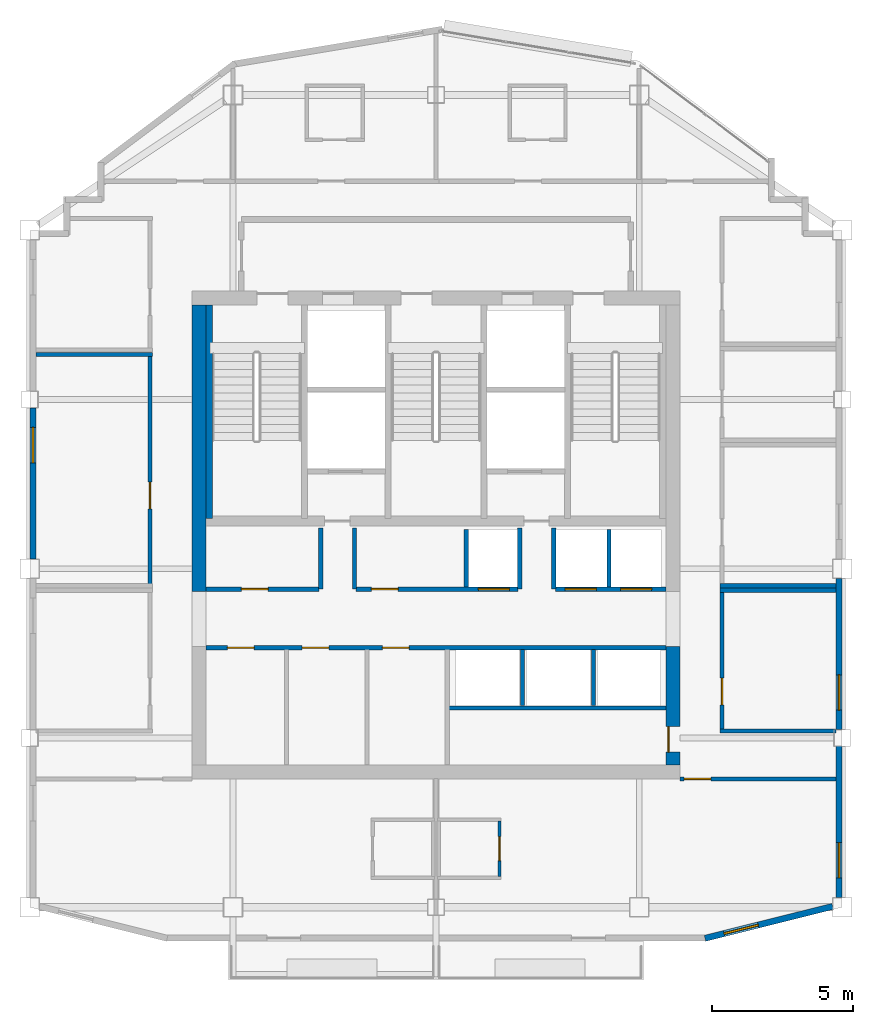
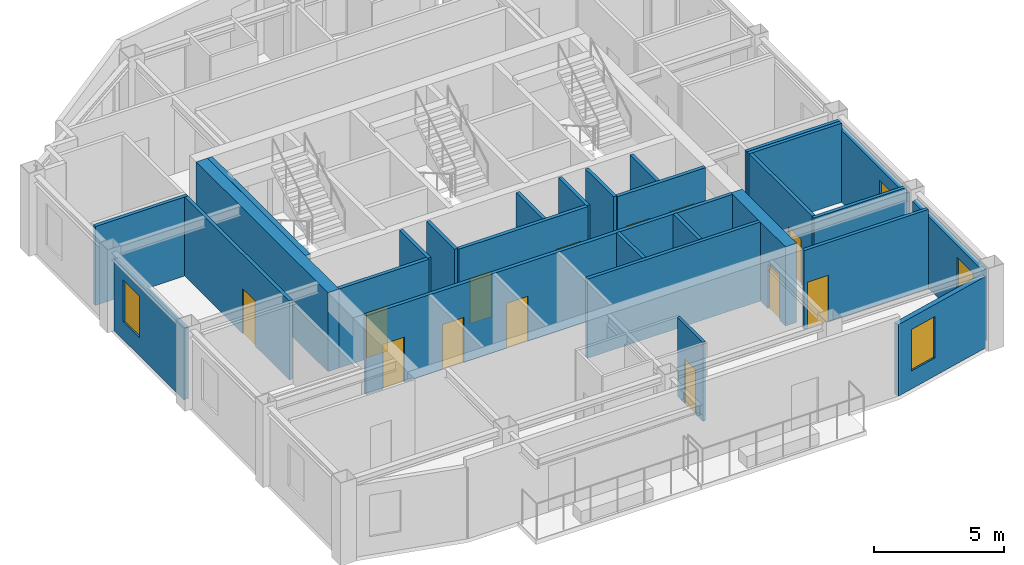
# One storey, part 5 of 10: 28 walls, 13 doors, 4 windows, 17 openings.
"""IFC4 building model written with IfcOpenShell, lengths in metres."""

from ifc_helpers import new_model, si_unit, direction, frame, frame_2d, origin, place, context, subcontext, project, spatial, rectangle, extrude, material, layer, layer_set, type_object, element, fill, save


model = new_model("IFC4")

# Units and contexts
model_context = context("Model", 3, precision=1e-05, world=origin(), true_north=direction((0.0, 1.0)))
body_context = subcontext(model_context, "Body", "Model", "MODEL_VIEW")
ifc_project = project(units=[si_unit("LENGTHUNIT", "METRE"), si_unit("AREAUNIT", "SQUARE_METRE"), si_unit("VOLUMEUNIT", "CUBIC_METRE"), si_unit("PLANEANGLEUNIT", "RADIAN"), si_unit("MASSUNIT", "GRAM", prefix="KILO")], contexts=[model_context])

# Site, building, storey
site_placement = place(None, origin())
site = spatial("IfcSite", under=ifc_project, at=site_placement, CompositionType="ELEMENT")
building_placement = place(site_placement, origin())
building = spatial("IfcBuilding", under=site, at=building_placement, Name="Haolan Belvedere Tower", CompositionType="ELEMENT")
storey_placement = place(building_placement, frame((0.0, 0.0, 286.10009765625)))
storey = spatial("IfcBuildingStorey", under=building, at=storey_placement, Name="L72", CompositionType="ELEMENT", Elevation=286.10009765625)

# Wall
ifc_material_1 = material(Name="Concrete C50/60", Category="concrete")
ifc_layer_1 = layer(ifc_material_1, 0.5, Name="Concrete C50/60")
ifc_layer_set_1 = layer_set([ifc_layer_1], Name="Concrete C50/60")
wall_type_1 = type_object("IfcWallType", Name="WL-CORE-500", PredefinedType="SHEAR", material=ifc_layer_set_1)
wall_1_placement = place(storey_placement, frame((30.0, 32.800048828125, 0.0), z_axis=(0.0, 0.0, 1.0), x_axis=(0.0, 1.0, 0.0)))
element("IfcWall", 1, at=wall_1_placement, inside=storey, type_object=wall_type_1, Name="L72 central core shear wall WN", PredefinedType="SHEAR", context=body_context, shape_type="SweptSolid", body=[
    extrude(rectangle(XDim=10.14990234375, YDim=0.5, at=frame_2d((5.074951171875, 0.0))), origin(), (0.0, 0.0, 1.0), 3.719970703125),
])

# Wall, opening, door
wall_2_placement = place(storey_placement, frame((46.800048828125, 26.64990234375, 0.0), z_axis=(0.0, 0.0, 1.0), x_axis=(0.0, 1.0, 0.0)))
wall_2 = element("IfcWall", 2, at=wall_2_placement, inside=storey, type_object=wall_type_1, Name="L72 central core shear wall ES", PredefinedType="SHEAR", context=body_context, shape_type="SweptSolid", body=[
    extrude(rectangle(XDim=4.2001953125, YDim=0.5, at=frame_2d((2.10009765625, 0.0))), origin(), (0.0, 0.0, 1.0), 3.719970703125),
])
opening_1_placement = place(wall_2_placement, frame((1.349853515625, 0.0, 0.0), z_axis=(0.0, 0.0, 1.0), x_axis=(-1.0, 0.0, 0.0)))
opening_1 = element("IfcOpeningElement", 3, at=opening_1_placement, cuts=wall_2, Name="Opening FD-05", PredefinedType="OPENING", context=body_context, shape_type="SweptSolid", body=[
    extrude(rectangle(XDim=0.89990234375, YDim=2.10009765625, at=frame_2d((0.449951171875, 1.050048828125))), frame((0.0, 0.260009765625, 0.0), z_axis=(0.0, -1.0, 0.0), x_axis=(1.0, 0.0, 0.0)), (0.0, 0.0, 1.0), 0.52001953125),
])
ifc_material_2 = material(Name="Galvanised fire-rated steel", Category="steel")
door_type_1 = type_object("IfcDoorType", Name="DR-FD60-900", OperationType="NOTDEFINED", PredefinedType="DOOR", material=ifc_material_2)
door_1_placement = place(opening_1_placement, origin())
door_1 = element("IfcDoor", 4, at=door_1_placement, inside=storey, type_object=door_type_1, Name="L72 door CD-L72-SCVE", OperationType="SINGLE_SWING_RIGHT", OverallHeight=2.10009765625, OverallWidth=0.89990234375, PredefinedType="DOOR", context=body_context, shape_type="SweptSolid", body=[
    extrude(rectangle(XDim=0.89990234375, YDim=2.10009765625, at=frame_2d((0.449951171875, 1.050048828125))), frame((0.0, -0.134765625, 0.0), z_axis=(0.0, -1.0, 0.0), x_axis=(1.0, 0.0, 0.0)), (0.0, 0.0, 1.0), 0.050048828125),
])
fill(opening_1, door_1)

# Wall, opening, window
ifc_material_3 = material(Name="Precast concrete C40/50", Category="concrete")
ifc_layer_2 = layer(ifc_material_3, 0.219970703125, Name="Precast concrete C40/50")
ifc_layer_set_2 = layer_set([ifc_layer_2], Name="Precast concrete C40/50")
wall_type_2 = type_object("IfcWallType", Name="WL-EXT-220", PredefinedType="SOLIDWALL", material=ifc_layer_set_2)
wall_3_placement = place(storey_placement, frame((47.93310546875, 20.49658203125, 0.0), z_axis=(0.0, 0.0, 1.0), x_axis=(0.970136341762, 0.242560257242, 0.0)))
wall_3 = element("IfcWall", 5, at=wall_3_placement, inside=storey, type_object=wall_type_2, Name="L72 pale-metal exterior spandrel wall 2.1", PredefinedType="SOLIDWALL", context=body_context, shape_type="SweptSolid", body=[
    extrude(rectangle(XDim=4.664306640625, YDim=0.219970703125, at=frame_2d((2.33203125, 0.0))), origin(), (0.0, 0.0, 1.0), 3.364990234375),
])
opening_2_placement = place(wall_3_placement, frame((0.699951171875, 0.0, 0.85009765625)))
opening_2 = element("IfcOpeningElement", 6, at=opening_2_placement, cuts=wall_3, Name="Opening W-04", PredefinedType="OPENING", context=body_context, shape_type="SweptSolid", body=[
    extrude(rectangle(XDim=1.25, YDim=1.949951171875, at=frame_2d((0.625, 0.97509765625))), frame((0.0, 0.119873046875, 0.0), z_axis=(0.0, -1.0, 0.0), x_axis=(1.0, 0.0, 0.0)), (0.0, 0.0, 1.0), 0.239990234375),
])
ifc_material_4 = material(Name="Anodised aluminium 6063-T6 and Low-E glass", Category="aluminium")
window_type = type_object("IfcWindowType", Name="WN-DECO-Z4", PartitioningType="SINGLE_PANEL", PredefinedType="WINDOW", material=ifc_material_4)
window_1_placement = place(opening_2_placement, origin())
window_1 = element("IfcWindow", 7, at=window_1_placement, inside=storey, type_object=window_type, Name="L72 Art Deco chevron window 1", OverallHeight=1.949951171875, OverallWidth=1.25, PartitioningType="SINGLE_PANEL", PredefinedType="WINDOW", context=body_context, shape_type="SweptSolid", body=[
    extrude(rectangle(XDim=1.25, YDim=1.949951171875, at=frame_2d((0.625, 0.97509765625))), frame((0.0, 0.030029296875, 0.0), z_axis=(0.0, -1.0, 0.0), x_axis=(1.0, 0.0, 0.0)), (0.0, 0.0, 1.0), 0.06005859375),
])
fill(opening_2, window_1)

wall_4_placement = place(storey_placement, frame((52.68994140625, 21.94189453125, 0.0), z_axis=(0.0, 0.0, 1.0), x_axis=(0.0, 1.0, 0.0)))
wall_4 = element("IfcWall", 8, at=wall_4_placement, inside=storey, type_object=wall_type_2, Name="L72 pale-metal exterior spandrel wall 3.1", PredefinedType="SOLIDWALL", context=body_context, shape_type="SweptSolid", body=[
    extrude(rectangle(XDim=5.3662109375, YDim=0.219970703125, at=frame_2d((2.68310546875, 0.0))), origin(), (0.0, 0.0, 1.0), 3.364990234375),
])
opening_3_placement = place(wall_4_placement, frame((0.699951171875, 0.0, 0.85009765625)))
opening_3 = element("IfcOpeningElement", 9, at=opening_3_placement, cuts=wall_4, Name="Opening W-04", PredefinedType="OPENING", context=body_context, shape_type="SweptSolid", body=[
    extrude(rectangle(XDim=1.25, YDim=1.949951171875, at=frame_2d((0.625, 0.97509765625))), frame((0.0, 0.119873046875, 0.0), z_axis=(0.0, -1.0, 0.0), x_axis=(1.0, 0.0, 0.0)), (0.0, 0.0, 1.0), 0.239990234375),
])
window_2_placement = place(opening_3_placement, origin())
window_2 = element("IfcWindow", 10, at=window_2_placement, inside=storey, type_object=window_type, Name="L72 Art Deco chevron window 1", OverallHeight=1.949951171875, OverallWidth=1.25, PartitioningType="SINGLE_PANEL", PredefinedType="WINDOW", context=body_context, shape_type="SweptSolid", body=[
    extrude(rectangle(XDim=1.25, YDim=1.949951171875, at=frame_2d((0.625, 0.97509765625))), frame((0.0, 0.030029296875, 0.0), z_axis=(0.0, -1.0, 0.0), x_axis=(1.0, 0.0, 0.0)), (0.0, 0.0, 1.0), 0.06005859375),
])
fill(opening_3, window_2)

wall_5_placement = place(storey_placement, frame((52.68994140625, 27.89208984375, 0.0), z_axis=(0.0, 0.0, 1.0), x_axis=(0.0, 1.0, 0.0)))
wall_5 = element("IfcWall", 11, at=wall_5_placement, inside=storey, type_object=wall_type_2, Name="L72 pale-metal exterior spandrel wall 3.2", PredefinedType="SOLIDWALL", context=body_context, shape_type="SweptSolid", body=[
    extrude(rectangle(XDim=5.365966796875, YDim=0.219970703125, at=frame_2d((2.68310546875, 0.0))), origin(), (0.0, 0.0, 1.0), 3.364990234375),
])
opening_4_placement = place(wall_5_placement, frame((0.699951171875, 0.0, 0.85009765625)))
opening_4 = element("IfcOpeningElement", 12, at=opening_4_placement, cuts=wall_5, Name="Opening W-04", PredefinedType="OPENING", context=body_context, shape_type="SweptSolid", body=[
    extrude(rectangle(XDim=1.25, YDim=1.949951171875, at=frame_2d((0.625, 0.97509765625))), frame((0.0, 0.119873046875, 0.0), z_axis=(0.0, -1.0, 0.0), x_axis=(1.0, 0.0, 0.0)), (0.0, 0.0, 1.0), 0.239990234375),
])
window_3_placement = place(opening_4_placement, origin())
window_3 = element("IfcWindow", 13, at=window_3_placement, inside=storey, type_object=window_type, Name="L72 Art Deco chevron window 1", OverallHeight=1.949951171875, OverallWidth=1.25, PartitioningType="SINGLE_PANEL", PredefinedType="WINDOW", context=body_context, shape_type="SweptSolid", body=[
    extrude(rectangle(XDim=1.25, YDim=1.949951171875, at=frame_2d((0.625, 0.97509765625))), frame((0.0, 0.030029296875, 0.0), z_axis=(0.0, -1.0, 0.0), x_axis=(1.0, 0.0, 0.0)), (0.0, 0.0, 1.0), 0.06005859375),
])
fill(opening_4, window_3)

wall_6_placement = place(storey_placement, frame((24.110107421875, 39.30810546875, 0.0), z_axis=(0.0, 0.0, 1.0), x_axis=(0.0, -1.0, 0.0)))
wall_6 = element("IfcWall", 14, at=wall_6_placement, inside=storey, type_object=wall_type_2, Name="L72 pale-metal exterior spandrel wall 16.2", PredefinedType="SOLIDWALL", context=body_context, shape_type="SweptSolid", body=[
    extrude(rectangle(XDim=5.3662109375, YDim=0.219970703125, at=frame_2d((2.68310546875, 0.0))), origin(), (0.0, 0.0, 1.0), 3.364990234375),
])
opening_5_placement = place(wall_6_placement, frame((0.699951171875, 0.0, 0.85009765625)))
opening_5 = element("IfcOpeningElement", 15, at=opening_5_placement, cuts=wall_6, Name="Opening W-04", PredefinedType="OPENING", context=body_context, shape_type="SweptSolid", body=[
    extrude(rectangle(XDim=1.25, YDim=1.949951171875, at=frame_2d((0.625, 0.97509765625))), frame((0.0, 0.119873046875, 0.0), z_axis=(0.0, -1.0, 0.0), x_axis=(1.0, 0.0, 0.0)), (0.0, 0.0, 1.0), 0.239990234375),
])
window_4_placement = place(opening_5_placement, origin())
window_4 = element("IfcWindow", 16, at=window_4_placement, inside=storey, type_object=window_type, Name="L72 Art Deco chevron window 1", OverallHeight=1.949951171875, OverallWidth=1.25, PartitioningType="SINGLE_PANEL", PredefinedType="WINDOW", context=body_context, shape_type="SweptSolid", body=[
    extrude(rectangle(XDim=1.25, YDim=1.949951171875, at=frame_2d((0.625, 0.97509765625))), frame((0.0, 0.030029296875, 0.0), z_axis=(0.0, -1.0, 0.0), x_axis=(1.0, 0.0, 0.0)), (0.0, 0.0, 1.0), 0.06005859375),
])
fill(opening_5, window_4)

# Walls
ifc_material_5 = material(Name="Double gypsum acoustic stud partition", Category="masonry")
ifc_layer_3 = layer(ifc_material_5, 0.14990234375, Name="Double gypsum acoustic stud partition")
ifc_layer_set_3 = layer_set([ifc_layer_3], Name="Double gypsum acoustic stud partition")
wall_type_3 = type_object("IfcWallType", Name="WL-PART-150", PredefinedType="PARTITIONING", material=ifc_layer_set_3)
wall_7_placement = place(storey_placement, frame((38.860107421875, 28.659912109375, 0.0), z_axis=(0.0, 0.0, 1.0), x_axis=(1.0, 0.0, 0.0)))
element("IfcWall", 17, at=wall_7_placement, inside=storey, type_object=wall_type_3, Name="L72 interior partition IW-L72-SSTRIP-E", PredefinedType="PARTITIONING", context=body_context, shape_type="SweptSolid", body=[
    extrude(rectangle(XDim=7.68994140625, YDim=0.14990234375, at=frame_2d((3.844970703125, 0.0))), origin(), (0.0, 0.0, 1.0), 3.719970703125),
])
wall_8_placement = place(storey_placement, frame((24.2119140625, 41.199951171875, 0.0), z_axis=(0.0, 0.0, 1.0), x_axis=(1.0, 0.0, 0.0)))
element("IfcWall", 18, at=wall_8_placement, inside=storey, type_object=wall_type_3, Name="L72 interior partition IW-L72-SAL-N", PredefinedType="PARTITIONING", context=body_context, shape_type="SweptSolid", body=[
    extrude(rectangle(XDim=4.128173828125, YDim=0.14990234375, at=frame_2d((2.06396484375, 0.0))), origin(), (0.0, 0.0, 1.0), 3.719970703125),
])

# Wall, opening, door
wall_9_placement = place(storey_placement, frame((28.260009765625, 33.06005859375, 0.0), z_axis=(0.0, 0.0, 1.0), x_axis=(0.0, 1.0, 0.0)))
wall_9 = element("IfcWall", 19, at=wall_9_placement, inside=storey, type_object=wall_type_3, Name="L72 interior partition IW-L72-SAL-E", PredefinedType="PARTITIONING", context=body_context, shape_type="SweptSolid", body=[
    extrude(rectangle(XDim=8.079833984375, YDim=0.14990234375, at=frame_2d((4.0400390625, 0.0))), origin(), (0.0, 0.0, 1.0), 3.719970703125),
])
opening_6_placement = place(wall_9_placement, frame((3.60986328125, 0.0, 0.0), z_axis=(0.0, 0.0, 1.0), x_axis=(-1.0, 0.0, 0.0)))
opening_6 = element("IfcOpeningElement", 20, at=opening_6_placement, cuts=wall_9, Name="Opening ID-03", PredefinedType="OPENING", context=body_context, shape_type="SweptSolid", body=[
    extrude(rectangle(XDim=0.949951171875, YDim=2.1201171875, at=frame_2d((0.47509765625, 1.06005859375))), frame((0.0, 0.0849609375, 0.0), z_axis=(0.0, -1.0, 0.0), x_axis=(1.0, 0.0, 0.0)), (0.0, 0.0, 1.0), 0.169921875),
])
ifc_material_6 = material(Name="Painted solid-core timber", Category="wood")
door_type_2 = type_object("IfcDoorType", Name="DR-INT-950", OperationType="NOTDEFINED", PredefinedType="DOOR", material=ifc_material_6)
door_2_placement = place(opening_6_placement, origin())
door_2 = element("IfcDoor", 21, at=door_2_placement, inside=storey, type_object=door_type_2, Name="L72 door ID-L72-SAL", OperationType="SINGLE_SWING_LEFT", OverallHeight=2.1201171875, OverallWidth=0.949951171875, PredefinedType="DOOR", context=body_context, shape_type="SweptSolid", body=[
    extrude(rectangle(XDim=0.949951171875, YDim=2.1201171875, at=frame_2d((0.47509765625, 1.06005859375))), frame((0.0, 0.02490234375, 0.0), z_axis=(0.0, -1.0, 0.0), x_axis=(1.0, 0.0, 0.0)), (0.0, 0.0, 1.0), 0.050048828125),
])
fill(opening_6, door_2)

# Walls
for number, where, z_axis, x_axis, name in (
    (22, (48.4599609375, 33.0, 0.0), (0.0, 0.0, 1.0), (1.0, 0.0, 0.0), "L72 interior partition IW-L72-BPN-S"),
    (23, (48.4599609375, 32.840087890625, 0.0), (0.0, 0.0, 1.0), (1.0, 0.0, 0.0), "L72 interior partition IW-L72-PKTE-N"),
    (24, (48.4599609375, 27.85009765625, 0.0), (0.0, 0.0, 1.0), (1.0, 0.0, 0.0), "L72 interior partition IW-L72-PKTE-S"),
):
    element("IfcWall", number, at=place(storey_placement, frame(where, z_axis=z_axis, x_axis=x_axis)), inside=storey, type_object=wall_type_3, Name=name, PredefinedType="PARTITIONING", context=body_context, shape_type="SweptSolid", body=[
        extrude(rectangle(XDim=4.1279296875, YDim=0.14990234375, at=frame_2d((2.06396484375, 0.0))), origin(), (0.0, 0.0, 1.0), 3.719970703125),
    ])

# Wall, opening, door
wall_10_placement = place(storey_placement, frame((48.5400390625, 27.909912109375, 0.0), z_axis=(0.0, 0.0, 1.0), x_axis=(0.0, 1.0, 0.0)))
wall_10 = element("IfcWall", 25, at=wall_10_placement, inside=storey, type_object=wall_type_3, Name="L72 interior partition IW-L72-PKTE-W", PredefinedType="PARTITIONING", context=body_context, shape_type="SweptSolid", body=[
    extrude(rectangle(XDim=4.8701171875, YDim=0.14990234375, at=frame_2d((2.43505859375, 0.0))), origin(), (0.0, 0.0, 1.0), 3.719970703125),
])
opening_7_placement = place(wall_10_placement, frame((0.860107421875, 0.0, 0.0)))
opening_7 = element("IfcOpeningElement", 26, at=opening_7_placement, cuts=wall_10, Name="Opening ID-03", PredefinedType="OPENING", context=body_context, shape_type="SweptSolid", body=[
    extrude(rectangle(XDim=0.949951171875, YDim=2.1201171875, at=frame_2d((0.47509765625, 1.06005859375))), frame((0.0, 0.0849609375, 0.0), z_axis=(0.0, -1.0, 0.0), x_axis=(1.0, 0.0, 0.0)), (0.0, 0.0, 1.0), 0.169921875),
])
door_3_placement = place(opening_7_placement, origin())
door_3 = element("IfcDoor", 27, at=door_3_placement, inside=storey, type_object=door_type_2, Name="L72 door ID-L72-PKTE", OperationType="SINGLE_SWING_RIGHT", OverallHeight=2.1201171875, OverallWidth=0.949951171875, PredefinedType="DOOR", context=body_context, shape_type="SweptSolid", body=[
    extrude(rectangle(XDim=0.949951171875, YDim=2.1201171875, at=frame_2d((0.47509765625, 1.06005859375))), frame((0.0, 0.02490234375, 0.0), z_axis=(0.0, -1.0, 0.0), x_axis=(1.0, 0.0, 0.0)), (0.0, 0.0, 1.0), 0.050048828125),
])
fill(opening_7, door_3)

wall_11_placement = place(storey_placement, frame((47.052001953125, 26.14990234375, 0.0), z_axis=(0.0, 0.0, 1.0), x_axis=(1.0, 0.0, 0.0)))
wall_11 = element("IfcWall", 28, at=wall_11_placement, inside=storey, type_object=wall_type_3, Name="L72 interior partition IW-L72-KS2-N", PredefinedType="PARTITIONING", context=body_context, shape_type="SweptSolid", body=[
    extrude(rectangle(XDim=5.535888671875, YDim=0.14990234375, at=frame_2d((2.76806640625, 0.0))), origin(), (0.0, 0.0, 1.0), 3.719970703125),
])
opening_8_placement = place(wall_11_placement, frame((1.08984375, 0.0, 0.0), z_axis=(0.0, 0.0, 1.0), x_axis=(-1.0, 0.0, 0.0)))
opening_8 = element("IfcOpeningElement", 29, at=opening_8_placement, cuts=wall_11, Name="Opening ID-01", PredefinedType="OPENING", context=body_context, shape_type="SweptSolid", body=[
    extrude(rectangle(XDim=0.949951171875, YDim=2.179931640625, at=frame_2d((0.47509765625, 1.08984375))), frame((0.0, 0.0849609375, 0.0), z_axis=(0.0, -1.0, 0.0), x_axis=(1.0, 0.0, 0.0)), (0.0, 0.0, 1.0), 0.169921875),
])
ifc_material_7 = material(Name="Acoustic walnut veneer fire-rated timber", Category="wood")
door_type_3 = type_object("IfcDoorType", Name="DR-SUITE-950", OperationType="NOTDEFINED", PredefinedType="DOOR", material=ifc_material_7)
door_4_placement = place(opening_8_placement, origin())
door_4 = element("IfcDoor", 30, at=door_4_placement, inside=storey, type_object=door_type_3, Name="L72 door ID-L72-KS2-ENT", OperationType="SINGLE_SWING_LEFT", OverallHeight=2.179931640625, OverallWidth=0.949951171875, PredefinedType="DOOR", context=body_context, shape_type="SweptSolid", body=[
    extrude(rectangle(XDim=0.949951171875, YDim=2.179931640625, at=frame_2d((0.47509765625, 1.08984375))), frame((0.0, 0.02490234375, 0.0), z_axis=(0.0, -1.0, 0.0), x_axis=(1.0, 0.0, 0.0)), (0.0, 0.0, 1.0), 0.050048828125),
])
fill(opening_8, door_4)

# Walls
ifc_material_8 = material(Name="Gypsum fire shaftwall assembly", Category="masonry")
ifc_layer_4 = layer(ifc_material_8, 0.1650390625, Name="Gypsum fire shaftwall assembly")
ifc_layer_set_4 = layer_set([ifc_layer_4], Name="Gypsum fire shaftwall assembly")
wall_type_4 = type_object("IfcWallType", Name="WL-SHAFT-160", PredefinedType="SOLIDWALL", material=ifc_layer_set_4)
for number, where, z_axis, x_axis, name in (
    (31, (34.31005859375, 32.8798828125, 0.0), (0.0, 0.0, 1.0), (0.0, 1.0, 0.0), "L72 interior partition IW-L72-SVP-W-SV1"),
    (32, (35.510009765625, 32.8798828125, 0.0), (0.0, 0.0, 1.0), (0.0, 1.0, 0.0), "L72 interior partition IW-L72-SVP-E-SV1"),
    (33, (41.3701171875, 32.8798828125, 0.0), (0.0, 0.0, 1.0), (0.0, 1.0, 0.0), "L72 interior partition IW-L72-SVP-W-SV2"),
    (34, (42.570068359375, 32.8798828125, 0.0), (0.0, 0.0, 1.0), (0.0, 1.0, 0.0), "L72 interior partition IW-L72-SVP-E-SV2"),
):
    element("IfcWall", number, at=place(storey_placement, frame(where, z_axis=z_axis, x_axis=x_axis)), inside=storey, type_object=wall_type_4, Name=name, PredefinedType="SOLIDWALL", context=body_context, shape_type="SweptSolid", body=[
        extrude(rectangle(XDim=2.170166015625, YDim=0.14990234375, at=frame_2d((1.0849609375, 0.0))), origin(), (0.0, 0.0, 1.0), 3.719970703125),
    ])

# Wall, opening, door
wall_12_placement = place(storey_placement, frame((30.25, 32.8798828125, 0.0), z_axis=(0.0, 0.0, 1.0), x_axis=(1.0, 0.0, 0.0)))
wall_12 = element("IfcWall", 35, at=wall_12_placement, inside=storey, type_object=wall_type_4, Name="L72 interior partition IW-L72-ROW-PN1", PredefinedType="SOLIDWALL", context=body_context, shape_type="SweptSolid", body=[
    extrude(rectangle(XDim=4.0, YDim=0.159912109375, at=frame_2d((2.0, 0.0))), origin(), (0.0, 0.0, 1.0), 3.719970703125),
])
opening_9_placement = place(wall_12_placement, frame((2.199951171875, 0.0, 0.0), z_axis=(0.0, 0.0, 1.0), x_axis=(-1.0, 0.0, 0.0)))
opening_9 = element("IfcOpeningElement", 36, at=opening_9_placement, cuts=wall_12, Name="Opening ID-03", PredefinedType="OPENING", context=body_context, shape_type="SweptSolid", body=[
    extrude(rectangle(XDim=0.949951171875, YDim=2.1201171875, at=frame_2d((0.47509765625, 1.06005859375))), frame((0.0, 0.08984375, 0.0), z_axis=(0.0, -1.0, 0.0), x_axis=(1.0, 0.0, 0.0)), (0.0, 0.0, 1.0), 0.179931640625),
])
door_5_placement = place(opening_9_placement, origin())
door_5 = element("IfcDoor", 37, at=door_5_placement, inside=storey, type_object=door_type_2, Name="L72 door ID-L72-CD-RPLW", OperationType="SINGLE_SWING_LEFT", OverallHeight=2.1201171875, OverallWidth=0.949951171875, PredefinedType="DOOR", context=body_context, shape_type="SweptSolid", body=[
    extrude(rectangle(XDim=0.949951171875, YDim=2.1201171875, at=frame_2d((0.47509765625, 1.06005859375))), frame((0.0, 0.02490234375, 0.0), z_axis=(0.0, -1.0, 0.0), x_axis=(1.0, 0.0, 0.0)), (0.0, 0.0, 1.0), 0.050048828125),
])
fill(opening_9, door_5)

# Wall, openings, doors
wall_13_placement = place(storey_placement, frame((35.570068359375, 32.8798828125, 0.0), z_axis=(0.0, 0.0, 1.0), x_axis=(1.0, 0.0, 0.0)))
wall_13 = element("IfcWall", 38, at=wall_13_placement, inside=storey, type_object=wall_type_4, Name="L72 interior partition IW-L72-ROW-PN2", PredefinedType="SOLIDWALL", context=body_context, shape_type="SweptSolid", body=[
    extrude(rectangle(XDim=5.739990234375, YDim=0.159912109375, at=frame_2d((2.8701171875, 0.0))), origin(), (0.0, 0.0, 1.0), 3.719970703125),
])
opening_10_placement = place(wall_13_placement, frame((1.489990234375, 0.0, 0.0), z_axis=(0.0, 0.0, 1.0), x_axis=(-1.0, 0.0, 0.0)))
opening_10 = element("IfcOpeningElement", 39, at=opening_10_placement, cuts=wall_13, Name="Opening ID-03", PredefinedType="OPENING", context=body_context, shape_type="SweptSolid", body=[
    extrude(rectangle(XDim=0.949951171875, YDim=2.1201171875, at=frame_2d((0.47509765625, 1.06005859375))), frame((0.0, 0.08984375, 0.0), z_axis=(0.0, -1.0, 0.0), x_axis=(1.0, 0.0, 0.0)), (0.0, 0.0, 1.0), 0.179931640625),
])
opening_11_placement = place(wall_13_placement, frame((5.43017578125, 0.0, 0.0), z_axis=(0.0, 0.0, 1.0), x_axis=(-1.0, 0.0, 0.0)))
opening_11 = element("IfcOpeningElement", 40, at=opening_11_placement, cuts=wall_13, Name="Opening LD-01", PredefinedType="OPENING", context=body_context, shape_type="SweptSolid", body=[
    extrude(rectangle(XDim=1.10009765625, YDim=2.199951171875, at=frame_2d((0.550048828125, 1.10009765625))), frame((0.0, 0.08984375, 0.0), z_axis=(0.0, -1.0, 0.0), x_axis=(1.0, 0.0, 0.0)), (0.0, 0.0, 1.0), 0.179931640625),
])
door_6_placement = place(opening_10_placement, origin())
door_6 = element("IfcDoor", 41, at=door_6_placement, inside=storey, type_object=door_type_2, Name="L72 door ID-L72-CD-RPLE", OperationType="SINGLE_SWING_RIGHT", OverallHeight=2.1201171875, OverallWidth=0.949951171875, PredefinedType="DOOR", context=body_context, shape_type="SweptSolid", body=[
    extrude(rectangle(XDim=0.949951171875, YDim=2.1201171875, at=frame_2d((0.47509765625, 1.06005859375))), frame((0.0, 0.02490234375, 0.0), z_axis=(0.0, -1.0, 0.0), x_axis=(1.0, 0.0, 0.0)), (0.0, 0.0, 1.0), 0.050048828125),
])
fill(opening_10, door_6)
ifc_material_9 = material(Name="Brushed champagne stainless steel 316L", Category="steel")
door_type_4 = type_object("IfcDoorType", Name="DR-LIFT-1100", OperationType="SLIDING_TO_LEFT", PredefinedType="DOOR", material=ifc_material_9)
door_7_placement = place(opening_11_placement, origin())
door_7 = element("IfcDoor", 42, at=door_7_placement, inside=storey, type_object=door_type_4, Name="L72 door ID-L72-LD-PH1", OperationType="SLIDING_TO_RIGHT", OverallHeight=2.199951171875, OverallWidth=1.10009765625, PredefinedType="DOOR", context=body_context, shape_type="SweptSolid", body=[
    extrude(rectangle(XDim=1.10009765625, YDim=2.199951171875, at=frame_2d((0.550048828125, 1.10009765625))), frame((0.0, 0.02490234375, 0.0), z_axis=(0.0, -1.0, 0.0), x_axis=(1.0, 0.0, 0.0)), (0.0, 0.0, 1.0), 0.050048828125),
])
fill(opening_11, door_7)

wall_14_placement = place(storey_placement, frame((42.6298828125, 32.8798828125, 0.0), z_axis=(0.0, 0.0, 1.0), x_axis=(1.0, 0.0, 0.0)))
wall_14 = element("IfcWall", 43, at=wall_14_placement, inside=storey, type_object=wall_type_4, Name="L72 interior partition IW-L72-ROW-PN3", PredefinedType="SOLIDWALL", context=body_context, shape_type="SweptSolid", body=[
    extrude(rectangle(XDim=3.920166015625, YDim=0.159912109375, at=frame_2d((1.9599609375, 0.0))), origin(), (0.0, 0.0, 1.0), 3.719970703125),
])
opening_12_placement = place(wall_14_placement, frame((1.4501953125, 0.0, 0.0), z_axis=(0.0, 0.0, 1.0), x_axis=(-1.0, 0.0, 0.0)))
opening_12 = element("IfcOpeningElement", 44, at=opening_12_placement, cuts=wall_14, Name="Opening LD-01", PredefinedType="OPENING", context=body_context, shape_type="SweptSolid", body=[
    extrude(rectangle(XDim=1.10009765625, YDim=2.199951171875, at=frame_2d((0.550048828125, 1.10009765625))), frame((0.0, 0.08984375, 0.0), z_axis=(0.0, -1.0, 0.0), x_axis=(1.0, 0.0, 0.0)), (0.0, 0.0, 1.0), 0.179931640625),
])
opening_13_placement = place(wall_14_placement, frame((3.41015625, 0.0, 0.0), z_axis=(0.0, 0.0, 1.0), x_axis=(-1.0, 0.0, 0.0)))
opening_13 = element("IfcOpeningElement", 45, at=opening_13_placement, cuts=wall_14, Name="Opening LD-01", PredefinedType="OPENING", context=body_context, shape_type="SweptSolid", body=[
    extrude(rectangle(XDim=1.10009765625, YDim=2.199951171875, at=frame_2d((0.550048828125, 1.10009765625))), frame((0.0, 0.08984375, 0.0), z_axis=(0.0, -1.0, 0.0), x_axis=(1.0, 0.0, 0.0)), (0.0, 0.0, 1.0), 0.179931640625),
])
door_8_placement = place(opening_12_placement, origin())
door_8 = element("IfcDoor", 46, at=door_8_placement, inside=storey, type_object=door_type_4, Name="L72 door ID-L72-LD-PH2", OperationType="SLIDING_TO_RIGHT", OverallHeight=2.199951171875, OverallWidth=1.10009765625, PredefinedType="DOOR", context=body_context, shape_type="SweptSolid", body=[
    extrude(rectangle(XDim=1.10009765625, YDim=2.199951171875, at=frame_2d((0.550048828125, 1.10009765625))), frame((0.0, 0.02490234375, 0.0), z_axis=(0.0, -1.0, 0.0), x_axis=(1.0, 0.0, 0.0)), (0.0, 0.0, 1.0), 0.050048828125),
])
fill(opening_12, door_8)
door_9_placement = place(opening_13_placement, origin())
door_9 = element("IfcDoor", 47, at=door_9_placement, inside=storey, type_object=door_type_4, Name="L72 door ID-L72-LD-PH3", OperationType="SLIDING_TO_RIGHT", OverallHeight=2.199951171875, OverallWidth=1.10009765625, PredefinedType="DOOR", context=body_context, shape_type="SweptSolid", body=[
    extrude(rectangle(XDim=1.10009765625, YDim=2.199951171875, at=frame_2d((0.550048828125, 1.10009765625))), frame((0.0, 0.02490234375, 0.0), z_axis=(0.0, -1.0, 0.0), x_axis=(1.0, 0.0, 0.0)), (0.0, 0.0, 1.0), 0.050048828125),
])
fill(opening_13, door_9)

# Walls
for number, where, z_axis, x_axis, name in (
    (48, (39.469970703125, 32.949951171875, 0.0), (0.0, 0.0, 1.0), (0.0, 1.0, 0.0), "L72 interior partition IW-L72-DIV-PL4R"),
    (49, (44.530029296875, 32.949951171875, 0.0), (0.0, 0.0, 1.0), (0.0, 1.0, 0.0), "L72 interior partition IW-L72-DIV-PH2"),
):
    element("IfcWall", number, at=place(storey_placement, frame(where, z_axis=z_axis, x_axis=x_axis)), inside=storey, type_object=wall_type_4, Name=name, PredefinedType="SOLIDWALL", context=body_context, shape_type="SweptSolid", body=[
        extrude(rectangle(XDim=2.050048828125, YDim=0.14990234375, at=frame_2d((1.02490234375, 0.0))), origin(), (0.0, 0.0, 1.0), 3.719970703125),
    ])

# Wall, openings, doors
wall_15_placement = place(storey_placement, frame((30.25, 30.800048828125, 0.0), z_axis=(0.0, 0.0, 1.0), x_axis=(1.0, 0.0, 0.0)))
wall_15 = element("IfcWall", 50, at=wall_15_placement, inside=storey, type_object=wall_type_4, Name="L72 interior partition IW-L72-ROW-PS", PredefinedType="SOLIDWALL", context=body_context, shape_type="SweptSolid", body=[
    extrude(rectangle(XDim=16.300048828125, YDim=0.159912109375, at=frame_2d((8.14990234375, 0.0))), origin(), (0.0, 0.0, 1.0), 3.719970703125),
])
opening_14_placement = place(wall_15_placement, frame((0.75, 0.0, 0.0)))
opening_14 = element("IfcOpeningElement", 51, at=opening_14_placement, cuts=wall_15, Name="Opening ID-03", PredefinedType="OPENING", context=body_context, shape_type="SweptSolid", body=[
    extrude(rectangle(XDim=0.949951171875, YDim=2.1201171875, at=frame_2d((0.47509765625, 1.06005859375))), frame((0.0, 0.08984375, 0.0), z_axis=(0.0, -1.0, 0.0), x_axis=(1.0, 0.0, 0.0)), (0.0, 0.0, 1.0), 0.179931640625),
])
opening_15_placement = place(wall_15_placement, frame((3.39990234375, 0.0, 0.0)))
opening_15 = element("IfcOpeningElement", 52, at=opening_15_placement, cuts=wall_15, Name="Opening ID-03", PredefinedType="OPENING", context=body_context, shape_type="SweptSolid", body=[
    extrude(rectangle(XDim=0.949951171875, YDim=2.1201171875, at=frame_2d((0.47509765625, 1.06005859375))), frame((0.0, 0.08984375, 0.0), z_axis=(0.0, -1.0, 0.0), x_axis=(1.0, 0.0, 0.0)), (0.0, 0.0, 1.0), 0.179931640625),
])
opening_16_placement = place(wall_15_placement, frame((6.25, 0.0, 0.0)))
opening_16 = element("IfcOpeningElement", 53, at=opening_16_placement, cuts=wall_15, Name="Opening ID-03", PredefinedType="OPENING", context=body_context, shape_type="SweptSolid", body=[
    extrude(rectangle(XDim=0.949951171875, YDim=2.1201171875, at=frame_2d((0.47509765625, 1.06005859375))), frame((0.0, 0.08984375, 0.0), z_axis=(0.0, -1.0, 0.0), x_axis=(1.0, 0.0, 0.0)), (0.0, 0.0, 1.0), 0.179931640625),
])
door_10_placement = place(opening_14_placement, origin())
door_10 = element("IfcDoor", 54, at=door_10_placement, inside=storey, type_object=door_type_2, Name="L72 door ID-L72-CD-RPMA", OperationType="SINGLE_SWING_LEFT", OverallHeight=2.1201171875, OverallWidth=0.949951171875, PredefinedType="DOOR", context=body_context, shape_type="SweptSolid", body=[
    extrude(rectangle(XDim=0.949951171875, YDim=2.1201171875, at=frame_2d((0.47509765625, 1.06005859375))), frame((0.0, 0.02490234375, 0.0), z_axis=(0.0, -1.0, 0.0), x_axis=(1.0, 0.0, 0.0)), (0.0, 0.0, 1.0), 0.050048828125),
])
fill(opening_14, door_10)
door_11_placement = place(opening_15_placement, origin())
door_11 = element("IfcDoor", 55, at=door_11_placement, inside=storey, type_object=door_type_2, Name="L72 door ID-L72-CD-RPMB", OperationType="SINGLE_SWING_RIGHT", OverallHeight=2.1201171875, OverallWidth=0.949951171875, PredefinedType="DOOR", context=body_context, shape_type="SweptSolid", body=[
    extrude(rectangle(XDim=0.949951171875, YDim=2.1201171875, at=frame_2d((0.47509765625, 1.06005859375))), frame((0.0, 0.02490234375, 0.0), z_axis=(0.0, -1.0, 0.0), x_axis=(1.0, 0.0, 0.0)), (0.0, 0.0, 1.0), 0.050048828125),
])
fill(opening_15, door_11)
door_12_placement = place(opening_16_placement, origin())
door_12 = element("IfcDoor", 56, at=door_12_placement, inside=storey, type_object=door_type_2, Name="L72 door ID-L72-CD-RPMC", OperationType="SINGLE_SWING_LEFT", OverallHeight=2.1201171875, OverallWidth=0.949951171875, PredefinedType="DOOR", context=body_context, shape_type="SweptSolid", body=[
    extrude(rectangle(XDim=0.949951171875, YDim=2.1201171875, at=frame_2d((0.47509765625, 1.06005859375))), frame((0.0, 0.02490234375, 0.0), z_axis=(0.0, -1.0, 0.0), x_axis=(1.0, 0.0, 0.0)), (0.0, 0.0, 1.0), 0.050048828125),
])
fill(opening_16, door_12)

# Walls
for number, where, z_axis, x_axis, name in (
    (57, (41.469970703125, 28.75, 0.0), (0.0, 0.0, 1.0), (0.0, 1.0, 0.0), "L72 interior partition IW-L72-DIV-OB1"),
    (58, (43.97998046875, 28.75, 0.0), (0.0, 0.0, 1.0), (0.0, 1.0, 0.0), "L72 interior partition IW-L72-DIV-OB2"),
):
    element("IfcWall", number, at=place(storey_placement, frame(where, z_axis=z_axis, x_axis=x_axis)), inside=storey, type_object=wall_type_4, Name=name, PredefinedType="SOLIDWALL", context=body_context, shape_type="SweptSolid", body=[
        extrude(rectangle(XDim=1.985107421875, YDim=0.14990234375, at=frame_2d((0.99267578125, 0.0))), origin(), (0.0, 0.0, 1.0), 3.719970703125),
    ])
ifc_layer_5 = layer(ifc_material_1, 0.219970703125, Name="Concrete C50/60")
ifc_layer_set_5 = layer_set([ifc_layer_5], Name="Concrete C50/60")
wall_type_5 = type_object("IfcWallType", Name="WL-STAIR-220", PredefinedType="SHEAR", material=ifc_layer_set_5)
wall_16_placement = place(storey_placement, frame((30.362060546875, 35.389892578125, 0.0), z_axis=(0.0, 0.0, 1.0), x_axis=(0.0, 1.0, 0.0)))
element("IfcWall", 59, at=wall_16_placement, inside=storey, type_object=wall_type_5, Name="L72 structural stair core wall ST1W", PredefinedType="SHEAR", context=body_context, shape_type="SweptSolid", body=[
    extrude(rectangle(XDim=7.56005859375, YDim=0.219970703125, at=frame_2d((3.780029296875, 0.0))), origin(), (0.0, 0.0, 1.0), 3.719970703125),
])

# Wall, opening, door
ifc_material_10 = material(Name="Moisture-resistant gypsum tile partition", Category="masonry")
ifc_layer_6 = layer(ifc_material_10, 0.1201171875, Name="Moisture-resistant gypsum tile partition")
ifc_layer_set_6 = layer_set([ifc_layer_6], Name="Moisture-resistant gypsum tile partition")
wall_type_6 = type_object("IfcWallType", Name="WL-WET-120", PredefinedType="PARTITIONING", material=ifc_layer_set_6)
wall_17_placement = place(storey_placement, frame((40.64990234375, 22.695068359375, 0.0), z_axis=(0.0, 0.0, 1.0), x_axis=(0.0, 1.0, 0.0)))
wall_17 = element("IfcWall", 60, at=wall_17_placement, inside=storey, type_object=wall_type_6, Name="L72 interior partition IW-L72-KS2-BE", PredefinedType="PARTITIONING", context=body_context, shape_type="SweptSolid", body=[
    extrude(rectangle(XDim=1.9599609375, YDim=0.1201171875, at=frame_2d((0.97998046875, 0.0))), origin(), (0.0, 0.0, 1.0), 3.719970703125),
])
opening_17_placement = place(wall_17_placement, frame((0.554931640625, 0.0, 0.0)))
opening_17 = element("IfcOpeningElement", 61, at=opening_17_placement, cuts=wall_17, Name="Opening ID-05", PredefinedType="OPENING", context=body_context, shape_type="SweptSolid", body=[
    extrude(rectangle(XDim=0.85009765625, YDim=2.10009765625, at=frame_2d((0.425048828125, 1.050048828125))), frame((0.0, 0.070068359375, 0.0), z_axis=(0.0, -1.0, 0.0), x_axis=(1.0, 0.0, 0.0)), (0.0, 0.0, 1.0), 0.14013671875),
])
ifc_material_11 = material(Name="Moisture-resistant lacquered timber", Category="wood")
door_type_5 = type_object("IfcDoorType", Name="DR-BATH-850", OperationType="NOTDEFINED", PredefinedType="DOOR", material=ifc_material_11)
door_13_placement = place(opening_17_placement, origin())
door_13 = element("IfcDoor", 62, at=door_13_placement, inside=storey, type_object=door_type_5, Name="L72 door ID-L72-KS2-BATH", OperationType="SINGLE_SWING_RIGHT", OverallHeight=2.10009765625, OverallWidth=0.85009765625, PredefinedType="DOOR", context=body_context, shape_type="SweptSolid", body=[
    extrude(rectangle(XDim=0.85009765625, YDim=2.10009765625, at=frame_2d((0.425048828125, 1.050048828125))), frame((0.0, 0.02490234375, 0.0), z_axis=(0.0, -1.0, 0.0), x_axis=(1.0, 0.0, 0.0)), (0.0, 0.0, 1.0), 0.050048828125),
])
fill(opening_17, door_13)

save(model, "model.ifc")
